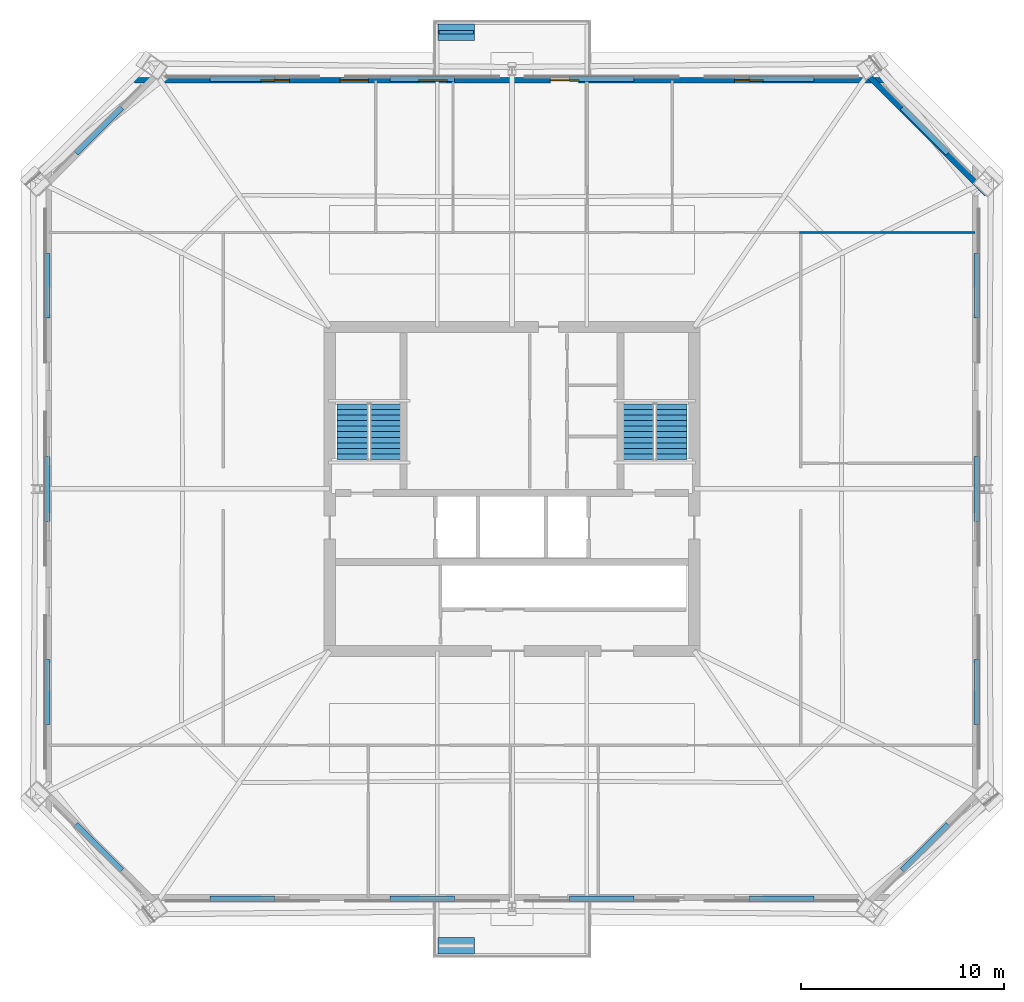
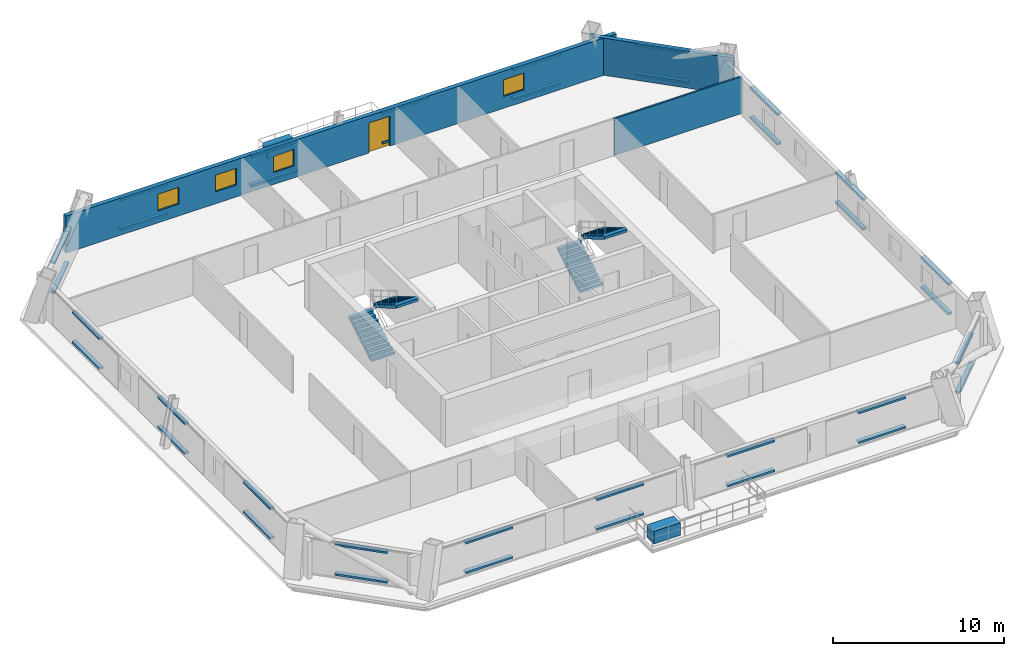
# One storey, part 5 of 7: 38 discrete accessories, 4 stair flights, 4 walls, 4 windows, 1 door, 5 openings, 2 elements without a shape of their own.
"""IFC4 building model written with IfcOpenShell, lengths in metres."""

from ifc_helpers import new_model, si_unit, direction, frame, frame_2d, origin, origin_2d, place, context, subcontext, project, spatial, polyline, rectangle, outline, extrude, material, layer, layer_set, type_object, element, fill, aggregate, save


model = new_model("IFC4")

# Units and contexts
model_context = context("Model", 3, precision=1e-05, world=origin(), true_north=direction((0.0, 1.0)))
body_context = subcontext(model_context, "Body", "Model", "MODEL_VIEW")
ifc_project = project(units=[si_unit("LENGTHUNIT", "METRE"), si_unit("AREAUNIT", "SQUARE_METRE"), si_unit("VOLUMEUNIT", "CUBIC_METRE"), si_unit("PLANEANGLEUNIT", "RADIAN"), si_unit("MASSUNIT", "GRAM", prefix="KILO")], contexts=[model_context])

# Site, building, storey
site_placement = place(None, origin())
site = spatial("IfcSite", under=ifc_project, at=site_placement, CompositionType="ELEMENT")
building_placement = place(site_placement, origin())
building = spatial("IfcBuilding", under=site, at=building_placement, Name="Caelvoria Tower", CompositionType="ELEMENT")
storey_placement = place(building_placement, frame((0.0, 0.0, 113.199951171875)))
storey = spatial("IfcBuildingStorey", under=building, at=storey_placement, Name="L29", CompositionType="ELEMENT", Elevation=113.199951171875)

# Walls
ifc_material_1 = material(Name="Bronze-Clad Concrete C40/50", Category="concrete")
ifc_layer_1 = layer(ifc_material_1, 0.179931640625, Name="Bronze-Clad Concrete C40/50")
ifc_layer_set_1 = layer_set([ifc_layer_1], Name="Architectural Planter Kerb Wall 180 - Bronze-Clad Concrete C40/50")
wall_type_1 = type_object("IfcWallType", Name="Architectural Planter Kerb Wall 180", PredefinedType="PARAPET", material=ifc_layer_set_1)
wall_1_placement = place(storey_placement, frame((42.39990234375, 54.550048828125, 0.0), z_axis=(0.0, 0.0, 1.0), x_axis=(1.0, 0.0, 0.0)))
element("IfcWall", 1, at=wall_1_placement, inside=storey, type_object=wall_type_1, Name="Tree Balcony Planter Kerb PLANTER TB-L29-N", PredefinedType="PARAPET", context=body_context, shape_type="SweptSolid", body=[
    extrude(rectangle(XDim=1.7001953125, YDim=0.179931640625, at=frame_2d((0.85009765625, 0.0))), origin(), (0.0, 0.0, 1.0), 0.880126953125),
])
ifc_material_2 = material(Name="Precast Concrete C40/50 with Bronze Cladding", Category="concrete")
ifc_layer_2 = layer(ifc_material_2, 0.280029296875, Name="Precast Concrete C40/50 with Bronze Cladding")
ifc_layer_set_2 = layer_set([ifc_layer_2], Name="Exterior Precast Concrete C40/50 Bronze-Clad Facade Wall 280 - Precast Concrete C40/50 with Bronze Cladding")
wall_type_2 = type_object("IfcWallType", Name="Exterior Precast Concrete C40/50 Bronze-Clad Facade Wall 280", PredefinedType="STANDARD", material=ifc_layer_set_2)
wall_2_placement = place(storey_placement, frame((69.44384765625, 46.554443359375, 0.0), z_axis=(0.0, 0.0, 1.0), x_axis=(-0.707106781187, 0.707106781187, 0.0)))
element("IfcWall", 2, at=wall_2_placement, inside=storey, type_object=wall_type_2, Name="Exterior Facade Wall L29-E3", PredefinedType="STANDARD", context=body_context, shape_type="SweptSolid", body=[
    extrude(rectangle(XDim=8.753173828125, YDim=0.280029296875, at=frame_2d((4.37646484375, 0.0))), origin(), (0.0, 0.0, 1.0), 2.662109375),
])

# Wall, openings, windows, door
wall_3_placement = place(storey_placement, frame((64.639892578125, 52.169921875, 0.0), z_axis=(0.0, 0.0, 1.0), x_axis=(-1.0, 0.0, 0.0)))
wall_3 = element("IfcWall", 3, at=wall_3_placement, inside=storey, type_object=wall_type_2, Name="Exterior Facade Wall L29-E4", PredefinedType="STANDARD", context=body_context, shape_type="SweptSolid", body=[
    extrude(rectangle(XDim=37.27978515625, YDim=0.280029296875, at=frame_2d((18.639892578125, 0.0))), origin(), (0.0, 0.0, 1.0), 2.662109375),
])
opening_1_placement = place(wall_3_placement, frame((15.347412109375, 0.0, 0.0)))
opening_1 = element("IfcOpeningElement", 4, at=opening_1_placement, cuts=wall_3, Name="Opening ED-04", PredefinedType="OPENING", context=body_context, shape_type="SweptSolid", body=[
    extrude(rectangle(XDim=1.39990234375, YDim=2.14990234375, at=frame_2d((0.699951171875, 1.074951171875))), frame((0.0, 0.14990234375, 0.0), z_axis=(0.0, -1.0, 0.0), x_axis=(1.0, 0.0, 0.0)), (0.0, 0.0, 1.0), 0.300048828125),
])
opening_2_placement = place(wall_3_placement, frame((6.24658203125, 0.0, 0.85009765625)))
opening_2 = element("IfcOpeningElement", 5, at=opening_2_placement, cuts=wall_3, Name="Opening WN-06", PredefinedType="OPENING", context=body_context, shape_type="SweptSolid", body=[
    extrude(rectangle(XDim=1.39990234375, YDim=1.199951171875, at=frame_2d((0.699951171875, 0.60009765625))), frame((0.0, 0.14990234375, 0.0), z_axis=(0.0, -1.0, 0.0), x_axis=(1.0, 0.0, 0.0)), (0.0, 0.0, 1.0), 0.300048828125),
])
opening_3_placement = place(wall_3_placement, frame((21.837890625, 0.0, 0.85009765625)))
opening_3 = element("IfcOpeningElement", 6, at=opening_3_placement, cuts=wall_3, Name="Opening WN-06", PredefinedType="OPENING", context=body_context, shape_type="SweptSolid", body=[
    extrude(rectangle(XDim=1.39990234375, YDim=1.199951171875, at=frame_2d((0.699951171875, 0.60009765625))), frame((0.0, 0.14990234375, 0.0), z_axis=(0.0, -1.0, 0.0), x_axis=(1.0, 0.0, 0.0)), (0.0, 0.0, 1.0), 0.300048828125),
])
opening_4_placement = place(wall_3_placement, frame((25.735595703125, 0.0, 0.85009765625)))
opening_4 = element("IfcOpeningElement", 7, at=opening_4_placement, cuts=wall_3, Name="Opening WN-06", PredefinedType="OPENING", context=body_context, shape_type="SweptSolid", body=[
    extrude(rectangle(XDim=1.39990234375, YDim=1.199951171875, at=frame_2d((0.699951171875, 0.60009765625))), frame((0.0, 0.14990234375, 0.0), z_axis=(0.0, -1.0, 0.0), x_axis=(1.0, 0.0, 0.0)), (0.0, 0.0, 1.0), 0.300048828125),
])
opening_5_placement = place(wall_3_placement, frame((29.63330078125, 0.0, 0.85009765625)))
opening_5 = element("IfcOpeningElement", 8, at=opening_5_placement, cuts=wall_3, Name="Opening WN-06", PredefinedType="OPENING", context=body_context, shape_type="SweptSolid", body=[
    extrude(rectangle(XDim=1.39990234375, YDim=1.199951171875, at=frame_2d((0.699951171875, 0.60009765625))), frame((0.0, 0.14990234375, 0.0), z_axis=(0.0, -1.0, 0.0), x_axis=(1.0, 0.0, 0.0)), (0.0, 0.0, 1.0), 0.300048828125),
])
ifc_material_3 = material(Name="Low-E Tinted Glass in Bronze Aluminium Frame", Category="aluminium")
window_type = type_object("IfcWindowType", Name="Podium Clerestory Window 1400x1200", PartitioningType="SINGLE_PANEL", PredefinedType="WINDOW", material=ifc_material_3)
window_1_placement = place(opening_2_placement, origin())
window_1 = element("IfcWindow", 9, at=window_1_placement, inside=storey, type_object=window_type, Name="Facade Window L29-E4-01", OverallHeight=1.199951171875, OverallWidth=1.39990234375, PartitioningType="SINGLE_PANEL", PredefinedType="WINDOW", context=body_context, shape_type="SweptSolid", body=[
    extrude(rectangle(XDim=1.39990234375, YDim=1.199951171875, at=frame_2d((0.699951171875, 0.60009765625))), frame((0.0, 0.030029296875, 0.0), z_axis=(0.0, -1.0, 0.0), x_axis=(1.0, 0.0, 0.0)), (0.0, 0.0, 1.0), 0.06005859375),
])
fill(opening_2, window_1)
window_2_placement = place(opening_3_placement, origin())
window_2 = element("IfcWindow", 10, at=window_2_placement, inside=storey, type_object=window_type, Name="Facade Window L29-E4-05", OverallHeight=1.199951171875, OverallWidth=1.39990234375, PartitioningType="SINGLE_PANEL", PredefinedType="WINDOW", context=body_context, shape_type="SweptSolid", body=[
    extrude(rectangle(XDim=1.39990234375, YDim=1.199951171875, at=frame_2d((0.699951171875, 0.60009765625))), frame((0.0, 0.030029296875, 0.0), z_axis=(0.0, -1.0, 0.0), x_axis=(1.0, 0.0, 0.0)), (0.0, 0.0, 1.0), 0.06005859375),
])
fill(opening_3, window_2)
window_3_placement = place(opening_4_placement, origin())
window_3 = element("IfcWindow", 11, at=window_3_placement, inside=storey, type_object=window_type, Name="Facade Window L29-E4-06", OverallHeight=1.199951171875, OverallWidth=1.39990234375, PartitioningType="SINGLE_PANEL", PredefinedType="WINDOW", context=body_context, shape_type="SweptSolid", body=[
    extrude(rectangle(XDim=1.39990234375, YDim=1.199951171875, at=frame_2d((0.699951171875, 0.60009765625))), frame((0.0, 0.030029296875, 0.0), z_axis=(0.0, -1.0, 0.0), x_axis=(1.0, 0.0, 0.0)), (0.0, 0.0, 1.0), 0.06005859375),
])
fill(opening_4, window_3)
window_4_placement = place(opening_5_placement, origin())
window_4 = element("IfcWindow", 12, at=window_4_placement, inside=storey, type_object=window_type, Name="Facade Window L29-E4-07", OverallHeight=1.199951171875, OverallWidth=1.39990234375, PartitioningType="SINGLE_PANEL", PredefinedType="WINDOW", context=body_context, shape_type="SweptSolid", body=[
    extrude(rectangle(XDim=1.39990234375, YDim=1.199951171875, at=frame_2d((0.699951171875, 0.60009765625))), frame((0.0, 0.030029296875, 0.0), z_axis=(0.0, -1.0, 0.0), x_axis=(1.0, 0.0, 0.0)), (0.0, 0.0, 1.0), 0.06005859375),
])
fill(opening_5, window_4)
ifc_material_4 = material(Name="Anodised Bronze Aluminium and Laminated Glass", Category="aluminium")
door_type = type_object("IfcDoorType", Name="Tree Balcony Glazed Door 1400x2150", OperationType="NOTDEFINED", PredefinedType="DOOR", material=ifc_material_4)
door_placement = place(opening_1_placement, origin())
door = element("IfcDoor", 13, at=door_placement, inside=storey, type_object=door_type, Name="Tree Balcony Door L29-N", OperationType="SINGLE_SWING_RIGHT", OverallHeight=2.14990234375, OverallWidth=1.39990234375, PredefinedType="DOOR", context=body_context, shape_type="SweptSolid", body=[
    extrude(rectangle(XDim=1.39990234375, YDim=2.14990234375, at=frame_2d((0.699951171875, 1.074951171875))), frame((0.0, 0.02490234375, 0.0), z_axis=(0.0, -1.0, 0.0), x_axis=(1.0, 0.0, 0.0)), (0.0, 0.0, 1.0), 0.050048828125),
])
fill(opening_1, door)

# Wall
ifc_material_5 = material(Name="Acoustic Gypsum Board on Light-Gauge Stud", Category="gypsum")
ifc_layer_3 = layer(ifc_material_5, 0.1201171875, Name="Acoustic Gypsum Board on Light-Gauge Stud")
ifc_layer_set_3 = layer_set([ifc_layer_3], Name="Tenant Suite Acoustic Partition Wall 120 - Acoustic Gypsum Board on Light-Gauge Stud")
wall_type_3 = type_object("IfcWallType", Name="Tenant Suite Acoustic Partition Wall 120", PredefinedType="PARTITIONING", material=ifc_layer_set_3)
wall_4_placement = place(storey_placement, frame((60.199951171875, 44.659912109375, 0.0), z_axis=(0.0, 0.0, 1.0), x_axis=(1.0, 0.0, 0.0)))
element("IfcWall", 14, at=wall_4_placement, inside=storey, type_object=wall_type_3, Name="Interior Partition IW-L29-BNE-0", PredefinedType="PARTITIONING", context=body_context, shape_type="SweptSolid", body=[
    extrude(rectangle(XDim=8.670166015625, YDim=0.1201171875, at=frame_2d((4.3349609375, 0.0))), origin(), (0.0, 0.0, 1.0), 2.64013671875),
])

# Stair, stair flights
ifc_material_6 = material(Name="Concrete C40/50", Category="concrete")
stair_type = type_object("IfcStairType", Name="Core Smokeproof Dogleg Stair Concrete C40/50", PredefinedType="HALF_TURN_STAIR", material=ifc_material_6)
stair_1_placement = place(storey_placement, origin())
stair_1 = element("IfcStair", 15, at=stair_1_placement, inside=storey, type_object=stair_type, Name="ST-01 Smokeproof Exit Stair L29", PredefinedType="HALF_TURN_STAIR")
ifc_material_7 = material(Name="Precast Concrete C40/50", Category="concrete")
stair_flight_type = type_object("IfcStairFlightType", Name="Precast Concrete C40/50 Stair Flight 1480", PredefinedType="STRAIGHT", material=ifc_material_7)
stair_flight_1_placement = place(storey_placement, frame((38.1298828125, 33.449951171875, 0.0), z_axis=(0.0, 0.0, 1.0), x_axis=(0.0, 1.0, 0.0)))
stair_flight_1 = element("IfcStairFlight", 16, at=stair_flight_1_placement, type_object=stair_flight_type, Name="ST-01 flight 1", NumberOfRisers=11, NumberOfTreads=10, PredefinedType="STRAIGHT", RiserHeight=0.1636, TreadLength=0.275, context=body_context, shape_type="SweptSolid", body=[
    extrude(outline(polyline([(0.0, 0.0), (0.0, 0.16357421875), (0.27490234375, 0.16357421875), (0.27490234375, 0.3271484375), (0.550048828125, 0.3271484375), (0.550048828125, 0.49072265625), (0.824951171875, 0.49072265625), (0.824951171875, 0.654296875), (1.10009765625, 0.654296875), (1.10009765625, 0.818115234375), (1.375, 0.818115234375), (1.375, 0.981689453125), (1.64990234375, 0.981689453125), (1.64990234375, 1.145263671875), (1.925048828125, 1.145263671875), (1.925048828125, 1.308837890625), (2.199951171875, 1.308837890625), (2.199951171875, 1.472412109375), (2.47509765625, 1.472412109375), (2.47509765625, 1.635986328125), (2.75, 1.635986328125), (2.75, 1.799560546875), (2.75, 1.449951171875), (0.312744140625, 0.0), (0.0, 0.0)])), frame((0.0, 0.77001953125, 0.0), z_axis=(0.0, -1.0, 0.0), x_axis=(1.0, 0.0, 0.0)), (0.0, 0.0, 1.0), 1.5400390625),
])
stair_flight_2_placement = place(storey_placement, frame((39.77001953125, 36.199951171875, 1.800048828125), z_axis=(0.0, 0.0, 1.0), x_axis=(0.0, -1.0, 0.0)))
stair_flight_2 = element("IfcStairFlight", 17, at=stair_flight_2_placement, type_object=stair_flight_type, Name="ST-01 flight 2", NumberOfRisers=11, NumberOfTreads=10, PredefinedType="STRAIGHT", RiserHeight=0.1636, TreadLength=0.275, context=body_context, shape_type="SweptSolid", body=[
    extrude(outline(polyline([(0.0, 0.0), (0.0, 0.16357421875), (0.27490234375, 0.16357421875), (0.27490234375, 0.3271484375), (0.550048828125, 0.3271484375), (0.550048828125, 0.49072265625), (0.824951171875, 0.49072265625), (0.824951171875, 0.654296875), (1.10009765625, 0.654296875), (1.10009765625, 0.818115234375), (1.375, 0.818115234375), (1.375, 0.981689453125), (1.64990234375, 0.981689453125), (1.64990234375, 1.145263671875), (1.925048828125, 1.145263671875), (1.925048828125, 1.308837890625), (2.199951171875, 1.308837890625), (2.199951171875, 1.472412109375), (2.47509765625, 1.472412109375), (2.47509765625, 1.635986328125), (2.75, 1.635986328125), (2.75, 1.799560546875), (2.75, 1.449951171875), (0.312744140625, 0.0), (0.0, 0.0)])), frame((0.0, 0.77001953125, 0.0), z_axis=(0.0, -1.0, 0.0), x_axis=(1.0, 0.0, 0.0)), (0.0, 0.0, 1.0), 1.5400390625),
])
aggregate(stair_1, [stair_flight_1, stair_flight_2])

stair_2_placement = place(storey_placement, origin())
stair_2 = element("IfcStair", 18, at=stair_2_placement, inside=storey, type_object=stair_type, Name="ST-02 Smokeproof Exit Stair L29", PredefinedType="HALF_TURN_STAIR")
stair_flight_3_placement = place(storey_placement, frame((52.22998046875, 33.449951171875, 0.0), z_axis=(0.0, 0.0, 1.0), x_axis=(0.0, 1.0, 0.0)))
stair_flight_3 = element("IfcStairFlight", 19, at=stair_flight_3_placement, type_object=stair_flight_type, Name="ST-02 flight 1", NumberOfRisers=11, NumberOfTreads=10, PredefinedType="STRAIGHT", RiserHeight=0.1636, TreadLength=0.275, context=body_context, shape_type="SweptSolid", body=[
    extrude(outline(polyline([(0.0, 0.0), (0.0, 0.16357421875), (0.27490234375, 0.16357421875), (0.27490234375, 0.3271484375), (0.550048828125, 0.3271484375), (0.550048828125, 0.49072265625), (0.824951171875, 0.49072265625), (0.824951171875, 0.654296875), (1.10009765625, 0.654296875), (1.10009765625, 0.818115234375), (1.375, 0.818115234375), (1.375, 0.981689453125), (1.64990234375, 0.981689453125), (1.64990234375, 1.145263671875), (1.925048828125, 1.145263671875), (1.925048828125, 1.308837890625), (2.199951171875, 1.308837890625), (2.199951171875, 1.472412109375), (2.47509765625, 1.472412109375), (2.47509765625, 1.635986328125), (2.75, 1.635986328125), (2.75, 1.799560546875), (2.75, 1.449951171875), (0.312744140625, 0.0), (0.0, 0.0)])), frame((0.0, 0.77001953125, 0.0), z_axis=(0.0, -1.0, 0.0), x_axis=(1.0, 0.0, 0.0)), (0.0, 0.0, 1.0), 1.5400390625),
])
stair_flight_4_placement = place(storey_placement, frame((53.8701171875, 36.199951171875, 1.800048828125), z_axis=(0.0, 0.0, 1.0), x_axis=(0.0, -1.0, 0.0)))
stair_flight_4 = element("IfcStairFlight", 20, at=stair_flight_4_placement, type_object=stair_flight_type, Name="ST-02 flight 2", NumberOfRisers=11, NumberOfTreads=10, PredefinedType="STRAIGHT", RiserHeight=0.1636, TreadLength=0.275, context=body_context, shape_type="SweptSolid", body=[
    extrude(outline(polyline([(0.0, 0.0), (0.0, 0.16357421875), (0.27490234375, 0.16357421875), (0.27490234375, 0.3271484375), (0.550048828125, 0.3271484375), (0.550048828125, 0.49072265625), (0.824951171875, 0.49072265625), (0.824951171875, 0.654296875), (1.10009765625, 0.654296875), (1.10009765625, 0.818115234375), (1.375, 0.818115234375), (1.375, 0.981689453125), (1.64990234375, 0.981689453125), (1.64990234375, 1.145263671875), (1.925048828125, 1.145263671875), (1.925048828125, 1.308837890625), (2.199951171875, 1.308837890625), (2.199951171875, 1.472412109375), (2.47509765625, 1.472412109375), (2.47509765625, 1.635986328125), (2.75, 1.635986328125), (2.75, 1.799560546875), (2.75, 1.449951171875), (0.312744140625, 0.0), (0.0, 0.0)])), frame((0.0, 0.77001953125, 0.0), z_axis=(0.0, -1.0, 0.0), x_axis=(1.0, 0.0, 0.0)), (0.0, 0.0, 1.0), 1.5400390625),
])
aggregate(stair_2, [stair_flight_3, stair_flight_4])

# Discrete accessories
ifc_material_8 = material(Name="Anodised Bronze Stainless Bracket", Category="bronze")
discrete_accessory_type_1 = type_object("IfcDiscreteAccessoryType", Name="Solar Screen Outrigger Support Bracket", PredefinedType="BRACKET", material=ifc_material_8)
for number, where, z_axis, x_axis, name in (
    (21, (32.695068359375, 11.7529296875, 0.240234375), (0.0, 0.0, 1.0), (1.0, 0.0, 0.0), "Solar Screen Bracket L29-E0-00"),
    (22, (32.695068359375, 11.7529296875, 2.3623046875), (0.0, 0.0, 1.0), (1.0, 0.0, 0.0), "Upper Screen Band Bracket L29-E0-00"),
    (23, (41.56494140625, 11.7529296875, 0.240234375), (0.0, 0.0, 1.0), (1.0, 0.0, 0.0), "Solar Screen Bracket L29-E0-01"),
    (24, (41.56494140625, 11.7529296875, 2.3623046875), (0.0, 0.0, 1.0), (1.0, 0.0, 0.0), "Upper Screen Band Bracket L29-E0-01"),
    (25, (50.43505859375, 11.7529296875, 0.240234375), (0.0, 0.0, 1.0), (1.0, 0.0, 0.0), "Solar Screen Bracket L29-E0-02"),
    (26, (50.43505859375, 11.7529296875, 2.3623046875), (0.0, 0.0, 1.0), (1.0, 0.0, 0.0), "Upper Screen Band Bracket L29-E0-02"),
    (27, (59.304931640625, 11.7529296875, 0.240234375), (0.0, 0.0, 1.0), (1.0, 0.0, 0.0), "Solar Screen Bracket L29-E0-03"),
    (28, (59.304931640625, 11.7529296875, 2.3623046875), (0.0, 0.0, 1.0), (1.0, 0.0, 0.0), "Upper Screen Band Bracket L29-E0-03"),
    (29, (66.403564453125, 14.29638671875, 0.240234375), (0.0, 0.0, 1.0), (0.707106781187, 0.707106781187, 0.0), "Solar Screen Bracket L29-E1-00"),
    (30, (66.403564453125, 14.29638671875, 2.3623046875), (0.0, 0.0, 1.0), (0.707106781187, 0.707106781187, 0.0), "Upper Screen Band Bracket L29-E1-00"),
    (31, (68.947021484375, 21.973388671875, 0.240234375), (0.0, 0.0, 1.0), (0.0, 1.0, 0.0), "Solar Screen Bracket L29-E2-00"),
    (32, (68.947021484375, 21.973388671875, 2.3623046875), (0.0, 0.0, 1.0), (0.0, 1.0, 0.0), "Upper Screen Band Bracket L29-E2-00"),
    (33, (68.947021484375, 32.0, 0.240234375), (0.0, 0.0, 1.0), (0.0, 1.0, 0.0), "Solar Screen Bracket L29-E2-01"),
    (34, (68.947021484375, 32.0, 2.3623046875), (0.0, 0.0, 1.0), (0.0, 1.0, 0.0), "Upper Screen Band Bracket L29-E2-01"),
    (35, (68.947021484375, 42.026611328125, 0.240234375), (0.0, 0.0, 1.0), (0.0, 1.0, 0.0), "Solar Screen Bracket L29-E2-02"),
    (36, (68.947021484375, 42.026611328125, 2.3623046875), (0.0, 0.0, 1.0), (0.0, 1.0, 0.0), "Upper Screen Band Bracket L29-E2-02"),
    (37, (66.403564453125, 49.70361328125, 0.240234375), (0.0, 0.0, 1.0), (-0.707106781187, 0.707106781187, 0.0), "Solar Screen Bracket L29-E3-00"),
    (38, (66.403564453125, 49.70361328125, 2.3623046875), (0.0, 0.0, 1.0), (-0.707106781187, 0.707106781187, 0.0), "Upper Screen Band Bracket L29-E3-00"),
    (39, (59.304931640625, 52.2470703125, 0.240234375), (0.0, 0.0, 1.0), (-1.0, 0.0, 0.0), "Solar Screen Bracket L29-E4-00"),
    (40, (59.304931640625, 52.2470703125, 2.3623046875), (0.0, 0.0, 1.0), (-1.0, 0.0, 0.0), "Upper Screen Band Bracket L29-E4-00"),
    (41, (50.43505859375, 52.2470703125, 0.240234375), (0.0, 0.0, 1.0), (-1.0, 0.0, 0.0), "Solar Screen Bracket L29-E4-01"),
    (42, (50.43505859375, 52.2470703125, 2.3623046875), (0.0, 0.0, 1.0), (-1.0, 0.0, 0.0), "Upper Screen Band Bracket L29-E4-01"),
    (43, (41.56494140625, 52.2470703125, 0.240234375), (0.0, 0.0, 1.0), (-1.0, 0.0, 0.0), "Solar Screen Bracket L29-E4-02"),
    (44, (41.56494140625, 52.2470703125, 2.3623046875), (0.0, 0.0, 1.0), (-1.0, 0.0, 0.0), "Upper Screen Band Bracket L29-E4-02"),
    (45, (32.695068359375, 52.2470703125, 0.240234375), (0.0, 0.0, 1.0), (-1.0, 0.0, 0.0), "Solar Screen Bracket L29-E4-03"),
    (46, (32.695068359375, 52.2470703125, 2.3623046875), (0.0, 0.0, 1.0), (-1.0, 0.0, 0.0), "Upper Screen Band Bracket L29-E4-03"),
    (47, (25.596435546875, 49.70361328125, 0.240234375), (0.0, 0.0, 1.0), (-0.707106781187, -0.707106781187, 0.0), "Solar Screen Bracket L29-E5-00"),
    (48, (25.596435546875, 49.70361328125, 2.3623046875), (0.0, 0.0, 1.0), (-0.707106781187, -0.707106781187, 0.0), "Upper Screen Band Bracket L29-E5-00"),
    (49, (23.052978515625, 42.026611328125, 0.240234375), (0.0, 0.0, 1.0), (0.0, -1.0, 0.0), "Solar Screen Bracket L29-E6-00"),
    (50, (23.052978515625, 42.026611328125, 2.3623046875), (0.0, 0.0, 1.0), (0.0, -1.0, 0.0), "Upper Screen Band Bracket L29-E6-00"),
    (51, (23.052978515625, 32.0, 0.240234375), (0.0, 0.0, 1.0), (0.0, -1.0, 0.0), "Solar Screen Bracket L29-E6-01"),
    (52, (23.052978515625, 32.0, 2.3623046875), (0.0, 0.0, 1.0), (0.0, -1.0, 0.0), "Upper Screen Band Bracket L29-E6-01"),
    (53, (23.052978515625, 21.973388671875, 0.240234375), (0.0, 0.0, 1.0), (0.0, -1.0, 0.0), "Solar Screen Bracket L29-E6-02"),
    (54, (23.052978515625, 21.973388671875, 2.3623046875), (0.0, 0.0, 1.0), (0.0, -1.0, 0.0), "Upper Screen Band Bracket L29-E6-02"),
    (55, (25.596435546875, 14.29638671875, 0.240234375), (0.0, 0.0, 1.0), (0.707106781187, -0.707106781187, 0.0), "Solar Screen Bracket L29-E7-00"),
    (56, (25.596435546875, 14.29638671875, 2.3623046875), (0.0, 0.0, 1.0), (0.707106781187, -0.707106781187, 0.0), "Upper Screen Band Bracket L29-E7-00"),
):
    element("IfcDiscreteAccessory", number, at=place(storey_placement, frame(where, z_axis=z_axis, x_axis=x_axis)), inside=storey, type_object=discrete_accessory_type_1, Name=name, PredefinedType="BRACKET", context=body_context, shape_type="SweptSolid", body=[
        extrude(rectangle(XDim=3.199951171875, YDim=0.280029296875, at=origin_2d()), origin(), (0.0, 0.0, 1.0), 0.159912109375),
    ])
ifc_material_9 = material(Name="Bronze-Clad Concrete C40/50 Planter Vessel", Category="concrete")
discrete_accessory_type_2 = type_object("IfcDiscreteAccessoryType", Name="Tree Balcony Structural Planter Vessel PLANTER", PredefinedType="USERDEFINED", material=ifc_material_9)
for number, where, z_axis, x_axis, name in (
    (57, (43.25, 9.449951171875, 0.0), (0.0, 0.0, 1.0), (1.0, 0.0, 0.0), "Tree Balcony Planter TB-L29-S"),
    (58, (43.25, 54.550048828125, 0.0), (0.0, 0.0, 1.0), (1.0, 0.0, 0.0), "Tree Balcony Planter TB-L29-N"),
):
    element("IfcDiscreteAccessory", number, at=place(storey_placement, frame(where, z_axis=z_axis, x_axis=x_axis)), inside=storey, type_object=discrete_accessory_type_2, Name=name, ObjectType="PLANTER", PredefinedType="USERDEFINED", context=body_context, shape_type="SweptSolid", body=[
        extrude(rectangle(XDim=1.800048828125, YDim=0.800048828125, at=origin_2d()), origin(), (0.0, 0.0, 1.0), 0.89990234375),
    ])

save(model, "model.ifc")
